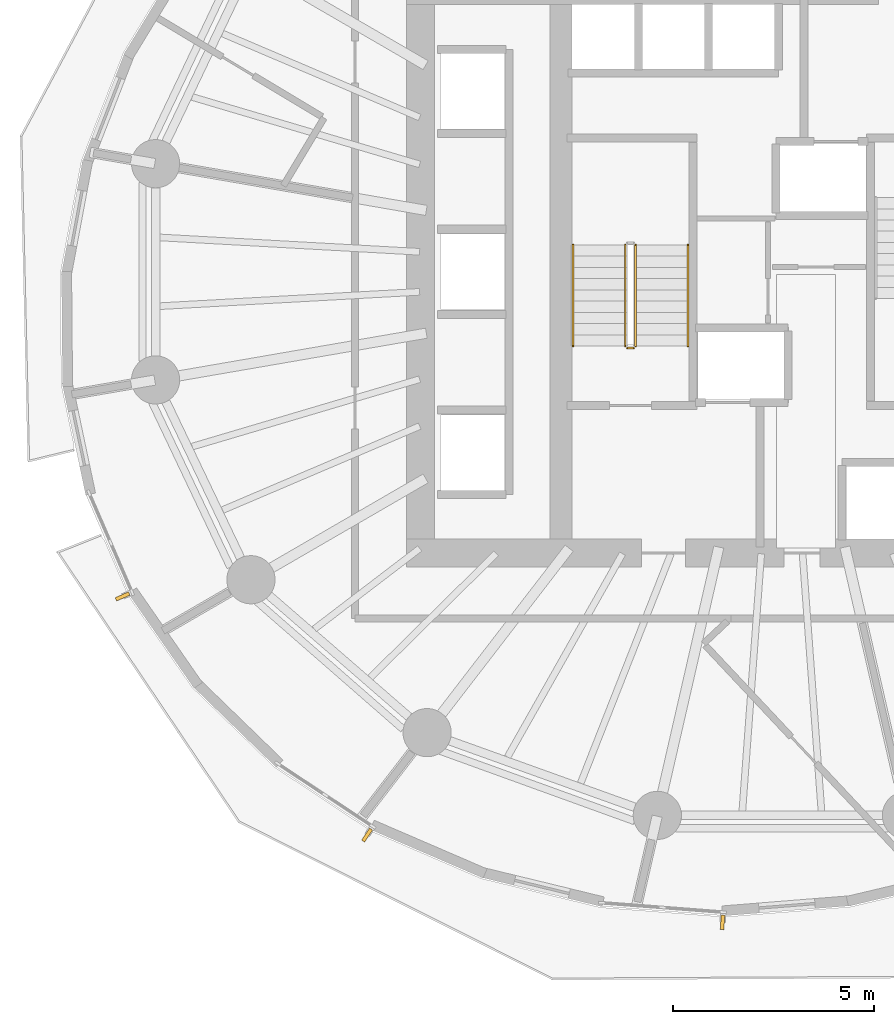
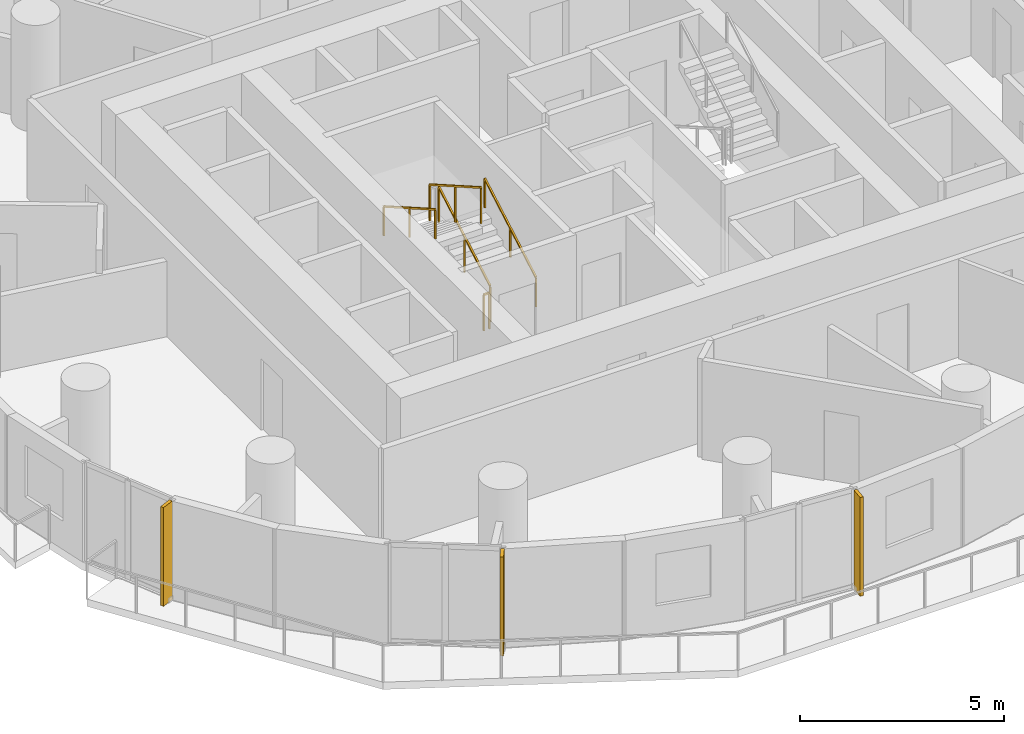
# One storey, part 11 of 14: 5 railings, 3 shading devices.
"""IFC4 building model written with IfcOpenShell, lengths in metres."""

from ifc_helpers import new_model, si_unit, direction, frame, origin, origin_2d, place, context, subcontext, project, spatial, rectangle, extrude, material, layer, layer_set, type_object, element, save


model = new_model("IFC4")

# Units and contexts
model_context = context("Model", 3, precision=1e-05, world=origin(), true_north=direction((0.0, 1.0)))
body_context = subcontext(model_context, "Body", "Model", "MODEL_VIEW")
ifc_project = project(units=[si_unit("LENGTHUNIT", "METRE"), si_unit("AREAUNIT", "SQUARE_METRE"), si_unit("VOLUMEUNIT", "CUBIC_METRE"), si_unit("PLANEANGLEUNIT", "RADIAN"), si_unit("MASSUNIT", "GRAM", prefix="KILO")], contexts=[model_context])

# Site, building, storey
site_placement = place(None, origin())
site = spatial("IfcSite", under=ifc_project, at=site_placement, CompositionType="ELEMENT")
building_placement = place(site_placement, origin())
building = spatial("IfcBuilding", under=site, at=building_placement, Name="Veldorim Arch Residences", CompositionType="ELEMENT")
storey_placement = place(building_placement, frame((0.0, 0.0, 80.47998046875)))
storey = spatial("IfcBuildingStorey", under=building, at=storey_placement, Name="L23", CompositionType="ELEMENT", Elevation=80.47998046875)

# Railings
ifc_material_1 = material(Name="Steel S355", Category="steel")
railing_type_1 = type_object("IfcRailingType", Name="Galvanised Steel Stair Safety Guardrail 1100", PredefinedType="GUARDRAIL", material=ifc_material_1)
railing_1_placement = place(storey_placement, frame((28.360107421875, 22.14990234375, 0.159912109375)))
element("IfcRailing", 1, at=railing_1_placement, inside=storey, type_object=railing_type_1, Name="L23 ST-1 stair guard 1", PredefinedType="GUARDRAIL", context=body_context, shape_type="SweptSolid", body=[
    extrude(rectangle(XDim=0.048095703125, YDim=0.048095703125, at=origin_2d()), frame((0.0, 0.0, 1.076171875), z_axis=(0.0, 0.868217259934, 0.496184229447), x_axis=(-1.0, 0.0, 0.0)), (0.0, 0.0, 1.0), 2.902587890625),
    extrude(rectangle(XDim=0.0419921875, YDim=0.0419921875, at=origin_2d()), origin(), (0.0, 0.0, 1.0), 1.052001953125),
    extrude(rectangle(XDim=0.0419921875, YDim=0.0419921875, at=origin_2d()), frame((0.0, 1.260009765625, 0.72021484375)), (0.0, 0.0, 1.0), 1.052001953125),
    extrude(rectangle(XDim=0.0419921875, YDim=0.0419921875, at=origin_2d()), frame((0.0, 2.52001953125, 1.440185546875)), (0.0, 0.0, 1.0), 1.052001953125),
])
railing_2_placement = place(storey_placement, frame((28.10009765625, 24.669921875, 1.760009765625)))
element("IfcRailing", 2, at=railing_2_placement, inside=storey, type_object=railing_type_1, Name="L23 ST-1 stair guard 3", PredefinedType="GUARDRAIL", context=body_context, shape_type="SweptSolid", body=[
    extrude(rectangle(XDim=0.048095703125, YDim=0.048095703125, at=origin_2d()), frame((0.0, 0.0, 1.076171875), z_axis=(0.0, -0.868253494771, 0.496120820787), x_axis=(1.0, 0.0, 0.0)), (0.0, 0.0, 1.0), 2.90234375),
    extrude(rectangle(XDim=0.0419921875, YDim=0.0419921875, at=origin_2d()), origin(), (0.0, 0.0, 1.0), 1.052001953125),
    extrude(rectangle(XDim=0.0419921875, YDim=0.0419921875, at=origin_2d()), frame((0.0, -1.260009765625, 0.719970703125)), (0.0, 0.0, 1.0), 1.052001953125),
    extrude(rectangle(XDim=0.0419921875, YDim=0.0419921875, at=origin_2d()), frame((0.0, -2.52001953125, 1.43994140625)), (0.0, 0.0, 1.0), 1.052001953125),
])
railing_3_placement = place(storey_placement, frame((28.31005859375, 22.10009765625, 0.0)))
element("IfcRailing", 3, at=railing_3_placement, inside=storey, type_object=railing_type_1, Name="L23 ST-1 stair guard 4", PredefinedType="GUARDRAIL", context=body_context, shape_type="SweptSolid", body=[
    extrude(rectangle(XDim=0.048095703125, YDim=0.048095703125, at=origin_2d()), frame((0.0, 0.0, 1.076171875), z_axis=(-1.0, 0.0, 0.0), x_axis=(0.0, -1.0, 0.0)), (0.0, 0.0, 1.0), 0.16015625),
    extrude(rectangle(XDim=0.0419921875, YDim=0.0419921875, at=origin_2d()), origin(), (0.0, 0.0, 1.0), 1.052001953125),
    extrude(rectangle(XDim=0.0419921875, YDim=0.0419921875, at=origin_2d()), frame((-0.16015625, 0.0, 0.0)), (0.0, 0.0, 1.0), 1.052001953125),
])
ifc_material_2 = material(Name="Stainless Steel", Category="steel")
railing_type_2 = type_object("IfcRailingType", Name="Tubular Steel Continuous Wall Handrail 900", PredefinedType="HANDRAIL", material=ifc_material_2)
railing_4_placement = place(storey_placement, frame((29.659912109375, 22.14990234375, 0.159912109375)))
element("IfcRailing", 4, at=railing_4_placement, inside=storey, type_object=railing_type_2, Name="L23 ST-1 stair handrail 1", PredefinedType="HANDRAIL", context=body_context, shape_type="SweptSolid", body=[
    extrude(rectangle(XDim=0.048095703125, YDim=0.048095703125, at=origin_2d()), frame((0.0, 0.0, 0.8759765625), z_axis=(0.0, 0.868217259934, 0.496184229447), x_axis=(-1.0, 0.0, 0.0)), (0.0, 0.0, 1.0), 2.902587890625),
    extrude(rectangle(XDim=0.0419921875, YDim=0.0419921875, at=origin_2d()), origin(), (0.0, 0.0, 1.0), 0.851806640625),
    extrude(rectangle(XDim=0.0419921875, YDim=0.0419921875, at=origin_2d()), frame((0.0, 1.260009765625, 0.72021484375)), (0.0, 0.0, 1.0), 0.851806640625),
    extrude(rectangle(XDim=0.0419921875, YDim=0.0419921875, at=origin_2d()), frame((0.0, 2.52001953125, 1.440185546875)), (0.0, 0.0, 1.0), 0.851806640625),
])
railing_5_placement = place(storey_placement, frame((26.800048828125, 24.669921875, 1.760009765625)))
element("IfcRailing", 5, at=railing_5_placement, inside=storey, type_object=railing_type_2, Name="L23 ST-1 stair handrail 2", PredefinedType="HANDRAIL", context=body_context, shape_type="SweptSolid", body=[
    extrude(rectangle(XDim=0.048095703125, YDim=0.048095703125, at=origin_2d()), frame((0.0, 0.0, 0.8759765625), z_axis=(0.0, -0.868253494771, 0.496120820787), x_axis=(1.0, 0.0, 0.0)), (0.0, 0.0, 1.0), 2.90234375),
    extrude(rectangle(XDim=0.0419921875, YDim=0.0419921875, at=origin_2d()), origin(), (0.0, 0.0, 1.0), 0.851806640625),
    extrude(rectangle(XDim=0.0419921875, YDim=0.0419921875, at=origin_2d()), frame((0.0, -1.260009765625, 0.719970703125)), (0.0, 0.0, 1.0), 0.851806640625),
    extrude(rectangle(XDim=0.0419921875, YDim=0.0419921875, at=origin_2d()), frame((0.0, -2.52001953125, 1.43994140625)), (0.0, 0.0, 1.0), 0.851806640625),
])

# Shading devices
ifc_material_3 = material(Name="Terracotta Ceramic", Category="masonry")
ifc_layer = layer(ifc_material_3, 0.090087890625, Name="Vertical Extruded Terracotta Baguette Sun-Shading Fin")
ifc_layer_set = layer_set([ifc_layer], Name="Terracotta Ceramic")
shading_device_type = type_object("IfcShadingDeviceType", Name="Vertical Extruded Terracotta Baguette Sun-Shading Fin", PredefinedType="USERDEFINED", material=ifc_layer_set)
for number, where, z_axis, x_axis, name in (
    (6, (15.583984375, 15.917236328125, 0.0), (0.0, 0.0, 1.0), (-0.396987706187, 0.917823927089, 0.0), "L23 vertical terracotta sun-shading fin 19"),
    (7, (21.671630859375, 9.974853515625, 0.0), (0.0, 0.0, 1.0), (-0.834174701276, 0.551500288078, 0.0), "L23 vertical terracotta sun-shading fin 22"),
    (8, (30.521728515625, 7.80029296875, 0.0), (0.0, 0.0, 1.0), (-0.997052752227, 0.076719028127, 0.0), "L23 vertical terracotta sun-shading fin 25"),
):
    element("IfcShadingDevice", number, at=place(storey_placement, frame(where, z_axis=z_axis, x_axis=x_axis)), inside=storey, type_object=shading_device_type, Name=name, ObjectType="FIN", PredefinedType="USERDEFINED", context=body_context, shape_type="SweptSolid", body=[
        extrude(rectangle(XDim=0.090087890625, YDim=0.360107421875, at=origin_2d()), origin(), (0.0, 0.0, 1.0), 2.9599609375),
    ])

save(model, "model.ifc")
